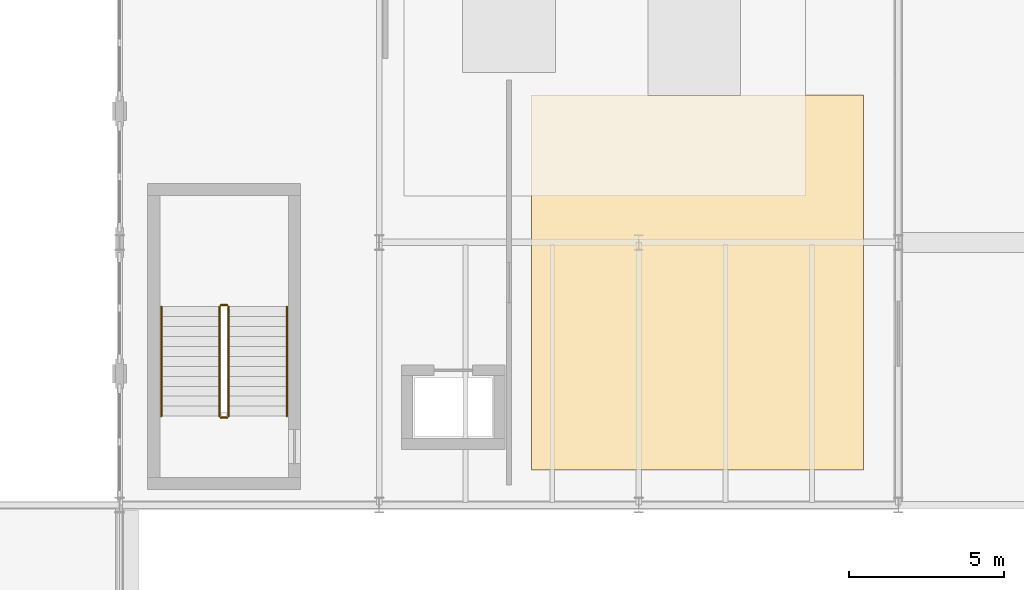
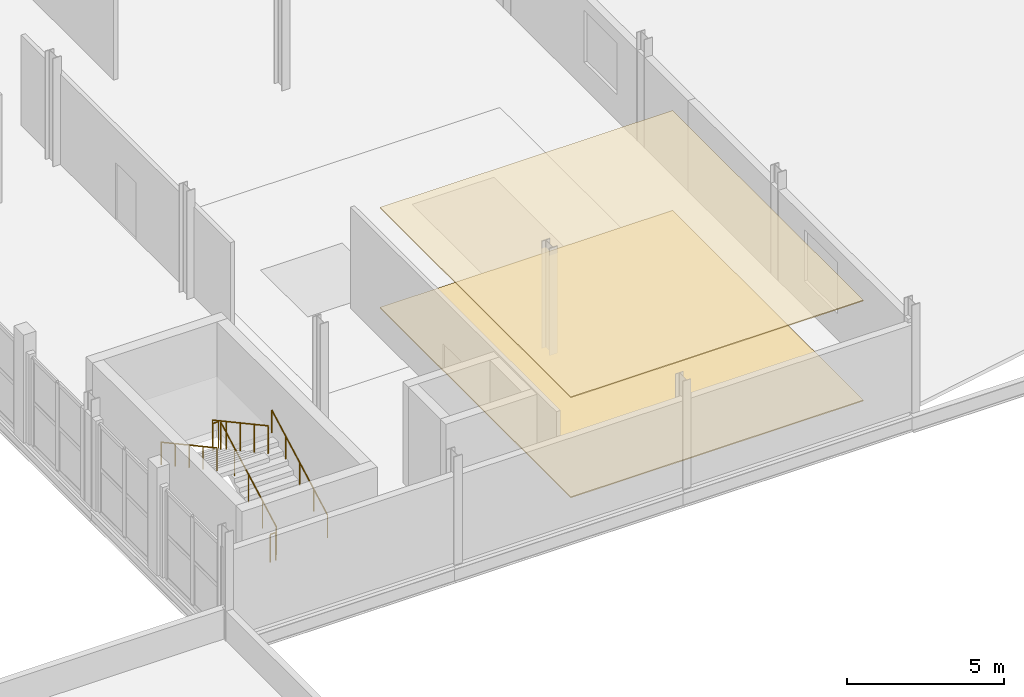
# One storey, part 52 of 58: 6 railings, 2 coverings.
"""IFC4 building model written with IfcOpenShell, lengths in metres."""

import ifcopenshell
import ifcopenshell.guid

model = None  # the IFC model being written
_history = None  # IfcOwnerHistory: only IFC2X3 demands one
_inside = {}  # id of a spatial element -> (the spatial element, [elements in it])
_under = {}  # id of a project, library or spatial element -> (it, [spatial elements below it])
_declared = {}  # id of a project -> (the project, [libraries it declares])
_typed = {}  # id of a type object -> (the type object, [elements of that type])
_made_of = {}  # id of a material, layer set ... -> (it, [elements and type objects made of it])


def new_model(schema):
    """Start an empty IFC model of exactly this schema.

    Asked for "IFC4X3", IfcOpenShell would pick the latest addendum, in which some entities
    have other attributes; the version numbers below select the first issue.
    IFC2X3 requires an IfcOwnerHistory on every rooted entity: one is made here for all.
    """
    global model, _history
    if schema == "IFC4X3":
        model = ifcopenshell.file(schema_version=(4, 3, 0, 0))
    else:
        model = ifcopenshell.file(schema=schema)
    _inside.clear()
    _under.clear()
    _declared.clear()
    _typed.clear()
    _made_of.clear()
    _history = None
    if model.schema == "IFC2X3":
        org = make("IfcOrganization", Name="unknown")
        user = make(
            "IfcPersonAndOrganization",
            ThePerson=make("IfcPerson", FamilyName="unknown"),
            TheOrganization=org,
        )
        app = make(
            "IfcApplication",
            ApplicationDeveloper=org,
            Version="unknown",
            ApplicationFullName="unknown",
            ApplicationIdentifier="unknown",
        )
        _history = make(
            "IfcOwnerHistory",
            OwningUser=user,
            OwningApplication=app,
            ChangeAction="ADDED",
            CreationDate=0,
        )
    return model


def make(cls, **values):
    """One entity of the class cls with the attributes given. An attribute that is None is left unset."""
    return model.create_entity(
        cls, **{name: value for name, value in values.items() if value is not None}
    )


def rooted(cls, **values):
    """An entity with a GlobalId (a new one), such as an element, a storey or a relation."""
    return make(cls, GlobalId=ifcopenshell.guid.new(), OwnerHistory=_history, **values)


def si_unit(unit_type, name, prefix=None):
    """IfcSIUnit, for example si_unit("LENGTHUNIT", "METRE", prefix="MILLI")."""
    return make("IfcSIUnit", UnitType=unit_type, Prefix=prefix, Name=name)


def assignment(units):
    """IfcUnitAssignment: the units of a project."""
    return None if units is None else make("IfcUnitAssignment", Units=units)


def point(xyz):
    """IfcCartesianPoint."""
    return None if xyz is None else make("IfcCartesianPoint", Coordinates=xyz)


def direction(xyz):
    """IfcDirection."""
    return None if xyz is None else make("IfcDirection", DirectionRatios=xyz)


def frame(location, z_axis=None, x_axis=None):
    """IfcAxis2Placement3D, a coordinate frame: its origin and axes. An axis left out is left unset."""
    return make(
        "IfcAxis2Placement3D",
        Location=point(location),
        Axis=direction(z_axis),
        RefDirection=direction(x_axis),
    )


def frame_2d(location, x_axis=None):
    """IfcAxis2Placement2D, a coordinate frame in the plane: its origin and x axis."""
    return make(
        "IfcAxis2Placement2D", Location=point(location), RefDirection=direction(x_axis)
    )


def origin():
    """The frame at (0, 0, 0) with its axes left unset."""
    return frame((0.0, 0.0, 0.0))


def origin_2d():
    """The frame at (0, 0) in the plane with its x axis left unset."""
    return frame_2d((0.0, 0.0))


def place(relative_to, where):
    """IfcLocalPlacement: puts the frame where relative to a parent placement (None: the world)."""
    return make(
        "IfcLocalPlacement", PlacementRelTo=relative_to, RelativePlacement=where
    )


def context(
    kind, dimensions, precision=None, world=None, true_north=None, identifier=None
):
    """IfcGeometricRepresentationContext, for example the 3D "Model" context."""
    return make(
        "IfcGeometricRepresentationContext",
        ContextIdentifier=identifier,
        ContextType=kind,
        CoordinateSpaceDimension=dimensions,
        Precision=precision,
        WorldCoordinateSystem=world,
        TrueNorth=true_north,
    )


def subcontext(parent, identifier, kind, view, scale=None):
    """IfcGeometricRepresentationSubContext, for example "Body" below "Model"."""
    return make(
        "IfcGeometricRepresentationSubContext",
        ContextIdentifier=identifier,
        ContextType=kind,
        ParentContext=parent,
        TargetScale=scale,
        TargetView=view,
    )


def project(units=None, contexts=None):
    """IfcProject with its units and contexts."""
    return rooted(
        "IfcProject",
        Name="project",
        RepresentationContexts=contexts,
        UnitsInContext=assignment(units),
    )


def spatial(cls, under=None, at=None, **own):
    """A site, building, storey or space (cls), placed at a placement, below another one or the project."""
    s = rooted(cls, ObjectPlacement=at, **own)
    if under is not None:
        _under.setdefault(under.id(), (under, []))[1].append(s)
    return s


def polyline(points):
    """IfcPolyline through the points."""
    return make("IfcPolyline", Points=[point(p) for p in points])


def profile(cls, at=None, kind="AREA", **sizes):
    """A parametric profile (cls). Its sizes go by their IFC names, for example OverallWidth=200.0."""
    return make(cls, ProfileType=kind, Position=at, **sizes)


def circle(**sizes):
    """IfcCircleProfileDef."""
    return profile("IfcCircleProfileDef", **sizes)


def outline(outer, holes=None, kind="AREA"):
    """IfcArbitraryClosedProfileDef: a profile drawn as a closed curve; with holes, ...WithVoids."""
    if holes is None:
        return make("IfcArbitraryClosedProfileDef", ProfileType=kind, OuterCurve=outer)
    return make(
        "IfcArbitraryProfileDefWithVoids",
        ProfileType=kind,
        OuterCurve=outer,
        InnerCurves=holes,
    )


def extrude(swept, where, along, depth):
    """IfcExtrudedAreaSolid: the profile swept, set in the frame where, extruded along a direction by depth."""
    return make(
        "IfcExtrudedAreaSolid",
        SweptArea=swept,
        Position=where,
        ExtrudedDirection=direction(along),
        Depth=depth,
    )


def shape(context_of_items, identifier, shape_type, items):
    """IfcShapeRepresentation: the items that make up one representation, for example the "Body"."""
    return make(
        "IfcShapeRepresentation",
        ContextOfItems=context_of_items,
        RepresentationIdentifier=identifier,
        RepresentationType=shape_type,
        Items=items,
    )


def material(Name=None, Category=None):
    """IfcMaterial."""
    return make("IfcMaterial", Name=Name, Category=Category)


def layer(
    of_material, thickness, ventilated=None, Name=None, Category=None, Priority=None
):
    """IfcMaterialLayer: one layer of a wall or slab, of a material (None: an air gap)."""
    return make(
        "IfcMaterialLayer",
        Material=of_material,
        LayerThickness=thickness,
        IsVentilated=ventilated,
        Name=Name,
        Category=Category,
        Priority=Priority,
    )


def layer_set(layers, Name=None):
    """IfcMaterialLayerSet."""
    return make("IfcMaterialLayerSet", MaterialLayers=layers, LayerSetName=Name)


def made_of(thing, what):
    """Note that an element or type object is made of a material, layer set ...; save() writes the relation."""
    if what is not None:
        _made_of.setdefault(what.id(), (what, []))[1].append(thing)
    return thing


def type_object(cls, material=None, **own):
    """A type object (cls), such as IfcWallType, which elements share."""
    return made_of(rooted(cls, **own), material)


def element(
    cls,
    number,
    at=None,
    inside=None,
    cuts=None,
    type_object=None,
    material=None,
    context=None,
    identifier="Body",
    shape_type=None,
    held_by="IfcProductDefinitionShape",
    body=None,
    shapes=None,
    **own,
):
    """One element of the class cls, such as IfcWall. Its Tag is "e" and its number.

    at: its placement. inside: the storey or other place that contains it. cuts: it is an
    opening in that element (IfcRelVoidsElement). A single representation is given by context,
    identifier, shape_type and body (its items); several are given by shapes. held_by: the class
    of the entity that holds the representations. save() writes the other relations.
    """
    e = rooted(cls, Tag="e%d" % number, ObjectPlacement=at, **own)
    if body is not None:
        shapes = [shape(context, identifier, shape_type, body)]
    if shapes is not None:
        e.Representation = make(held_by, Representations=shapes)
    if inside is not None:
        _inside.setdefault(inside.id(), (inside, []))[1].append(e)
    if cuts is not None:
        rooted(
            "IfcRelVoidsElement", RelatingBuildingElement=cuts, RelatedOpeningElement=e
        )
    if type_object is not None:
        _typed.setdefault(type_object.id(), (type_object, []))[1].append(e)
    return made_of(e, material)


def aggregate(whole, parts):
    """IfcRelAggregates: a whole, such as a stair, and the parts it consists of."""
    return rooted("IfcRelAggregates", RelatingObject=whole, RelatedObjects=parts)


def save(model, path):
    """Write the relations noted so far, then the file.

    IfcRelAggregates (storeys below a building ...), IfcRelContainedInSpatialStructure (elements
    in a storey), IfcRelDefinesByType, IfcRelAssociatesMaterial and IfcRelDeclares: one each for
    every whole, place, type object, material and project.
    """
    for whole, parts in _under.values():
        aggregate(whole, parts)
    for where, things in _inside.values():
        rooted(
            "IfcRelContainedInSpatialStructure",
            RelatedElements=things,
            RelatingStructure=where,
        )
    for kind, things in _typed.values():
        rooted("IfcRelDefinesByType", RelatedObjects=things, RelatingType=kind)
    for what, things in _made_of.values():
        rooted("IfcRelAssociatesMaterial", RelatedObjects=things, RelatingMaterial=what)
    for by, libraries in _declared.values():
        rooted("IfcRelDeclares", RelatingContext=by, RelatedDefinitions=libraries)
    model.write(path)


model = new_model("IFC4")

# Units and contexts
model_context = context("Model", 3, precision=1e-05, world=origin(), true_north=direction((0.0, 1.0)))
body_context = subcontext(model_context, "Body", "Model", "MODEL_VIEW")
ifc_project = project(units=[si_unit("LENGTHUNIT", "METRE"), si_unit("AREAUNIT", "SQUARE_METRE"), si_unit("VOLUMEUNIT", "CUBIC_METRE"), si_unit("PLANEANGLEUNIT", "RADIAN"), si_unit("MASSUNIT", "GRAM", prefix="KILO")], contexts=[model_context])

# Site, building, storey
site_placement = place(None, origin())
site = spatial("IfcSite", under=ifc_project, at=site_placement, CompositionType="ELEMENT")
building_placement = place(site_placement, origin())
building = spatial("IfcBuilding", under=site, at=building_placement, Name="Sefraquen Railside Congress Hotel", CompositionType="ELEMENT")
storey_placement = place(building_placement, frame((0.0, 0.0, 16.199951171875)))
storey = spatial("IfcBuildingStorey", under=building, at=storey_placement, Name="L03", CompositionType="ELEMENT", Elevation=16.199951171875)

# Coverings
ifc_material_1 = material(Name="Acoustic mineral and carved plaster ceiling", Category="gypsum")
ifc_layer_1 = layer(ifc_material_1, 0.0400390625)
ifc_layer_set_1 = layer_set([ifc_layer_1], Name="Acoustic mineral and carved plaster ceiling")
covering_type_1 = type_object("IfcCoveringType", Name="TCV-CEIL-01", PredefinedType="CEILING", material=ifc_layer_set_1)
covering_1_placement = place(storey_placement, frame((0.0, 0.0, 3.880126953125)))
element("IfcCovering", 1, at=covering_1_placement, inside=storey, type_object=covering_type_1, Name="Conference Suite 07 acoustic ceiling finish", PredefinedType="CEILING", context=body_context, shape_type="SweptSolid", body=[
    extrude(outline(polyline([(116.530029296875, 55.1298828125), (127.27001953125, 55.1298828125), (127.27001953125, 67.27001953125), (116.530029296875, 67.27001953125), (116.530029296875, 55.1298828125)])), origin(), (0.0, 0.0, 1.0), 0.0400390625),
])
ifc_material_2 = material(Name="Moroccan zellige ceramic and honed stone flooring", Category="masonry")
ifc_layer_2 = layer(ifc_material_2, 0.0400390625)
ifc_layer_set_2 = layer_set([ifc_layer_2], Name="Moroccan zellige ceramic and honed stone flooring")
covering_type_2 = type_object("IfcCoveringType", Name="TCV-FLR-01", PredefinedType="FLOORING", material=ifc_layer_set_2)
covering_2_placement = place(storey_placement, origin())
element("IfcCovering", 2, at=covering_2_placement, inside=storey, type_object=covering_type_2, Name="Conference Suite 07 architectural floor finish", PredefinedType="FLOORING", context=body_context, shape_type="SweptSolid", body=[
    extrude(outline(polyline([(116.530029296875, 55.1298828125), (127.27001953125, 55.1298828125), (127.27001953125, 67.27001953125), (116.530029296875, 67.27001953125), (116.530029296875, 55.1298828125)])), origin(), (0.0, 0.0, 1.0), 0.0400390625),
])

# Railings
ifc_material_3 = material(Name="Patinated wrought architectural bronze", Category="metal")
railing_type_1 = type_object("IfcRailingType", Name="TRL-BAL-110", PredefinedType="BALUSTRADE", material=ifc_material_3)
railing_1_placement = place(storey_placement, frame((106.72998046875, 56.8798828125, 0.175048828125)))
element("IfcRailing", 3, at=railing_1_placement, inside=storey, type_object=railing_type_1, Name="L03 ST-M02 stair guard 1", PredefinedType="BALUSTRADE", context=body_context, shape_type="SweptSolid", body=[
    extrude(circle(Radius=0.02392578125, at=origin_2d()), frame((0.0, 0.0, 1.076171875), z_axis=(0.0, 0.878632794434, 0.47749807596), x_axis=(-1.0, 0.0, 0.0)), (0.0, 0.0, 1.0), 4.031494140625),
    extrude(circle(Radius=0.02099609375, at=origin_2d()), origin(), (0.0, 0.0, 1.0), 1.052001953125),
    extrude(circle(Radius=0.02099609375, at=origin_2d()), frame((0.0, 0.885498046875, 0.481201171875)), (0.0, 0.0, 1.0), 1.052001953125),
    extrude(circle(Radius=0.02099609375, at=origin_2d()), frame((0.0, 1.77099609375, 0.96240234375)), (0.0, 0.0, 1.0), 1.052001953125),
    extrude(circle(Radius=0.02099609375, at=origin_2d()), frame((0.0, 2.65673828125, 1.44384765625)), (0.0, 0.0, 1.0), 1.052001953125),
    extrude(circle(Radius=0.02099609375, at=origin_2d()), frame((0.0, 3.542236328125, 1.925048828125)), (0.0, 0.0, 1.0), 1.052001953125),
])
railing_2_placement = place(storey_placement, frame((106.679931640625, 60.471923828125, 2.10009765625)))
element("IfcRailing", 4, at=railing_2_placement, inside=storey, type_object=railing_type_1, Name="L03 ST-M02 stair guard 2", PredefinedType="BALUSTRADE", context=body_context, shape_type="SweptSolid", body=[
    extrude(circle(Radius=0.02392578125, at=origin_2d()), frame((0.0, 0.0, 1.076171875), z_axis=(-1.0, 0.0, 0.0), x_axis=(0.0, -1.0, 0.0)), (0.0, 0.0, 1.0), 0.199951171875),
    extrude(circle(Radius=0.02099609375, at=origin_2d()), origin(), (0.0, 0.0, 1.0), 1.052001953125),
    extrude(circle(Radius=0.02099609375, at=origin_2d()), frame((-0.199951171875, 0.0, 0.0)), (0.0, 0.0, 1.0), 1.052001953125),
])
railing_3_placement = place(storey_placement, frame((106.429931640625, 60.422119140625, 2.275146484375)))
element("IfcRailing", 5, at=railing_3_placement, inside=storey, type_object=railing_type_1, Name="L03 ST-M02 stair guard 3", PredefinedType="BALUSTRADE", context=body_context, shape_type="SweptSolid", body=[
    extrude(circle(Radius=0.02392578125, at=origin_2d()), frame((0.0, 0.0, 1.076171875), z_axis=(0.0, -0.878658200666, 0.477451323596), x_axis=(1.0, 0.0, 0.0)), (0.0, 0.0, 1.0), 4.031494140625),
    extrude(circle(Radius=0.02099609375, at=origin_2d()), origin(), (0.0, 0.0, 1.0), 1.052001953125),
    extrude(circle(Radius=0.02099609375, at=origin_2d()), frame((0.0, -0.885498046875, 0.481201171875)), (0.0, 0.0, 1.0), 1.052001953125),
    extrude(circle(Radius=0.02099609375, at=origin_2d()), frame((0.0, -1.77099609375, 0.96240234375)), (0.0, 0.0, 1.0), 1.052001953125),
    extrude(circle(Radius=0.02099609375, at=origin_2d()), frame((0.0, -2.65673828125, 1.443603515625)), (0.0, 0.0, 1.0), 1.052001953125),
    extrude(circle(Radius=0.02099609375, at=origin_2d()), frame((0.0, -3.542236328125, 1.9248046875)), (0.0, 0.0, 1.0), 1.052001953125),
])
railing_4_placement = place(storey_placement, frame((106.679931640625, 56.830078125, 0.0)))
element("IfcRailing", 6, at=railing_4_placement, inside=storey, type_object=railing_type_1, Name="L03 ST-M02 stair guard 4", PredefinedType="BALUSTRADE", context=body_context, shape_type="SweptSolid", body=[
    extrude(circle(Radius=0.02392578125, at=origin_2d()), frame((0.0, 0.0, 1.076171875), z_axis=(-1.0, 0.0, 0.0), x_axis=(0.0, -1.0, 0.0)), (0.0, 0.0, 1.0), 0.199951171875),
    extrude(circle(Radius=0.02099609375, at=origin_2d()), origin(), (0.0, 0.0, 1.0), 1.052001953125),
    extrude(circle(Radius=0.02099609375, at=origin_2d()), frame((-0.199951171875, 0.0, 0.0)), (0.0, 0.0, 1.0), 1.052001953125),
])
railing_type_2 = type_object("IfcRailingType", Name="TRL-HR-090", PredefinedType="HANDRAIL", material=ifc_material_3)
railing_5_placement = place(storey_placement, frame((108.610107421875, 56.8798828125, 0.175048828125)))
element("IfcRailing", 7, at=railing_5_placement, inside=storey, type_object=railing_type_2, Name="L03 ST-M02 stair handrail 1", PredefinedType="HANDRAIL", context=body_context, shape_type="SweptSolid", body=[
    extrude(circle(Radius=0.02392578125, at=origin_2d()), frame((0.0, 0.0, 0.8759765625), z_axis=(0.0, 0.878632794434, 0.47749807596), x_axis=(-1.0, 0.0, 0.0)), (0.0, 0.0, 1.0), 4.031494140625),
    extrude(circle(Radius=0.02099609375, at=origin_2d()), origin(), (0.0, 0.0, 1.0), 0.851806640625),
    extrude(circle(Radius=0.02099609375, at=origin_2d()), frame((0.0, 0.885498046875, 0.481201171875)), (0.0, 0.0, 1.0), 0.851806640625),
    extrude(circle(Radius=0.02099609375, at=origin_2d()), frame((0.0, 1.77099609375, 0.96240234375)), (0.0, 0.0, 1.0), 0.851806640625),
    extrude(circle(Radius=0.02099609375, at=origin_2d()), frame((0.0, 2.65673828125, 1.44384765625)), (0.0, 0.0, 1.0), 0.851806640625),
    extrude(circle(Radius=0.02099609375, at=origin_2d()), frame((0.0, 3.542236328125, 1.925048828125)), (0.0, 0.0, 1.0), 0.851806640625),
])
railing_6_placement = place(storey_placement, frame((104.550048828125, 60.422119140625, 2.275146484375)))
element("IfcRailing", 8, at=railing_6_placement, inside=storey, type_object=railing_type_2, Name="L03 ST-M02 stair handrail 2", PredefinedType="HANDRAIL", context=body_context, shape_type="SweptSolid", body=[
    extrude(circle(Radius=0.02392578125, at=origin_2d()), frame((0.0, 0.0, 0.8759765625), z_axis=(0.0, -0.878658200666, 0.477451323596), x_axis=(1.0, 0.0, 0.0)), (0.0, 0.0, 1.0), 4.031494140625),
    extrude(circle(Radius=0.02099609375, at=origin_2d()), origin(), (0.0, 0.0, 1.0), 0.851806640625),
    extrude(circle(Radius=0.02099609375, at=origin_2d()), frame((0.0, -0.885498046875, 0.481201171875)), (0.0, 0.0, 1.0), 0.851806640625),
    extrude(circle(Radius=0.02099609375, at=origin_2d()), frame((0.0, -1.77099609375, 0.96240234375)), (0.0, 0.0, 1.0), 0.851806640625),
    extrude(circle(Radius=0.02099609375, at=origin_2d()), frame((0.0, -2.65673828125, 1.443603515625)), (0.0, 0.0, 1.0), 0.851806640625),
    extrude(circle(Radius=0.02099609375, at=origin_2d()), frame((0.0, -3.542236328125, 1.9248046875)), (0.0, 0.0, 1.0), 0.851806640625),
])

save(model, "model.ifc")
